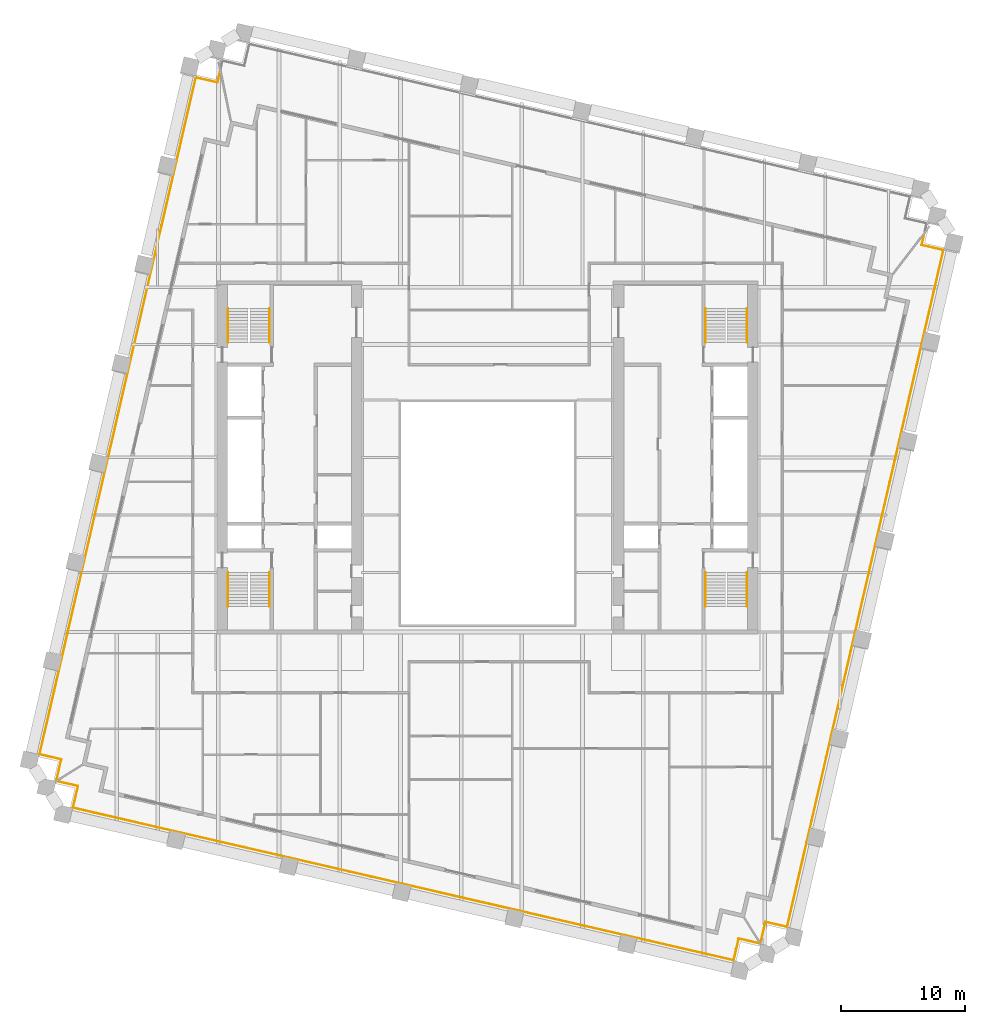
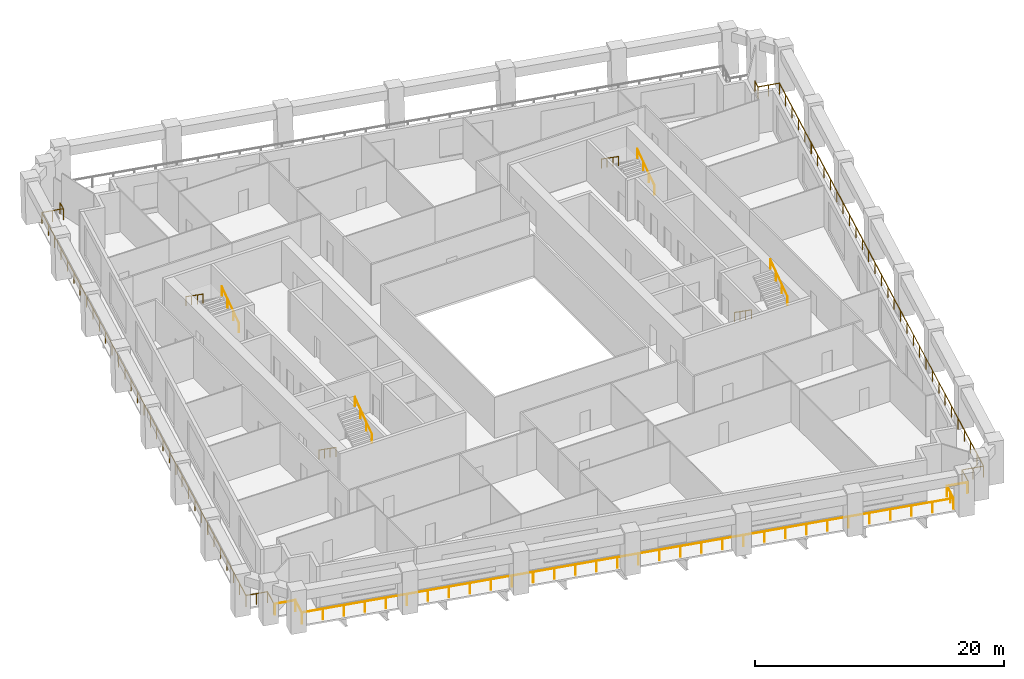
# One storey, part 11 of 12: 11 railings.
"""IFC4 building model written with IfcOpenShell, lengths in metres."""

from ifc_helpers import new_model, si_unit, direction, frame, origin, origin_2d, place, context, subcontext, project, spatial, circle, extrude, material, type_object, element, save


model = new_model("IFC4")

# Units and contexts
model_context = context("Model", 3, precision=1e-05, world=origin(), true_north=direction((0.0, 1.0)))
body_context = subcontext(model_context, "Body", "Model", "MODEL_VIEW")
ifc_project = project(units=[si_unit("LENGTHUNIT", "METRE"), si_unit("AREAUNIT", "SQUARE_METRE"), si_unit("VOLUMEUNIT", "CUBIC_METRE"), si_unit("PLANEANGLEUNIT", "RADIAN"), si_unit("MASSUNIT", "GRAM", prefix="KILO")], contexts=[model_context])

# Site, building, storey
site_placement = place(None, origin())
site = spatial("IfcSite", under=ifc_project, at=site_placement, CompositionType="ELEMENT")
building_placement = place(site_placement, origin())
building = spatial("IfcBuilding", under=site, at=building_placement, Name="Ogive Exchange Tower", CompositionType="ELEMENT")
storey_placement = place(building_placement, frame((0.0, 0.0, 130.800048828125)))
storey = spatial("IfcBuildingStorey", under=building, at=storey_placement, Name="L28", CompositionType="ELEMENT", Elevation=130.800048828125)

# Railings
ifc_material_1 = material(Name="Stainless steel 316", Category="steel")
railing_type_1 = type_object("IfcRailingType", Name="Guard 1100 stainless steel and glass", PredefinedType="GUARDRAIL", material=ifc_material_1)
railing_1_placement = place(storey_placement, frame((21.947265625, -27.74462890625, -0.050048828125)))
element("IfcRailing", 1, at=railing_1_placement, inside=storey, type_object=railing_type_1, Name="Loggia guard 1", PredefinedType="GUARDRAIL", context=body_context, shape_type="SweptSolid", body=[
    extrude(circle(Radius=0.02392578125, at=origin_2d()), frame((0.0, 0.0, 1.076171875), z_axis=(-0.974396013545, 0.224838628327, 0.0), x_axis=(-0.224838628327, -0.974396013545, 0.0)), (0.0, 0.0, 1.0), 1.7080078125),
    extrude(circle(Radius=0.02392578125, at=origin_2d()), frame((-1.664306640625, 0.384033203125, 1.076171875), z_axis=(-0.225008086135, -0.974356896201, 0.0), x_axis=(0.974356896201, -0.225008086135, 0.0)), (0.0, 0.0, 1.0), 1.800048828125),
    extrude(circle(Radius=0.02392578125, at=origin_2d()), frame((-2.0693359375, -1.369873046875, 1.076171875), z_axis=(-0.974368873975, 0.224956212247, 0.0), x_axis=(-0.224956212247, -0.974368873975, 0.0)), (0.0, 0.0, 1.0), 54.760009765625),
    extrude(circle(Radius=0.02392578125, at=origin_2d()), frame((-55.42578125, 10.94873046875, 1.076171875), z_axis=(0.22503782496, 0.974350028141, 0.0), x_axis=(-0.974350028141, 0.22503782496, 0.0)), (0.0, 0.0, 1.0), 1.7998046875),
    extrude(circle(Radius=0.02392578125, at=origin_2d()), frame((-55.020751953125, 12.702392578125, 1.076171875), z_axis=(-0.974364690374, 0.224974332206, 0.0), x_axis=(-0.224974332206, -0.974364690374, 0.0)), (0.0, 0.0, 1.0), 1.7080078125),
    extrude(circle(Radius=0.02099609375, at=origin_2d()), origin(), (0.0, 0.0, 1.0), 1.052001953125),
    extrude(circle(Radius=0.02099609375, at=origin_2d()), frame((-1.664306640625, 0.384033203125, 0.0)), (0.0, 0.0, 1.0), 1.052001953125),
    extrude(circle(Radius=0.02099609375, at=origin_2d()), frame((-1.86669921875, -0.492919921875, 0.0)), (0.0, 0.0, 1.0), 1.052001953125),
    extrude(circle(Radius=0.02099609375, at=origin_2d()), frame((-2.0693359375, -1.369873046875, 0.0)), (0.0, 0.0, 1.0), 1.052001953125),
    extrude(circle(Radius=0.02099609375, at=origin_2d()), frame((-3.79052734375, -0.972412109375, 0.0)), (0.0, 0.0, 1.0), 1.052001953125),
    extrude(circle(Radius=0.02099609375, at=origin_2d()), frame((-5.51171875, -0.5751953125, 0.0)), (0.0, 0.0, 1.0), 1.052001953125),
    extrude(circle(Radius=0.02099609375, at=origin_2d()), frame((-7.23291015625, -0.177734375, 0.0)), (0.0, 0.0, 1.0), 1.052001953125),
    extrude(circle(Radius=0.02099609375, at=origin_2d()), frame((-8.9541015625, 0.2197265625, 0.0)), (0.0, 0.0, 1.0), 1.052001953125),
    extrude(circle(Radius=0.02099609375, at=origin_2d()), frame((-10.67529296875, 0.616943359375, 0.0)), (0.0, 0.0, 1.0), 1.052001953125),
    extrude(circle(Radius=0.02099609375, at=origin_2d()), frame((-12.396484375, 1.014404296875, 0.0)), (0.0, 0.0, 1.0), 1.052001953125),
    extrude(circle(Radius=0.02099609375, at=origin_2d()), frame((-14.11767578125, 1.411865234375, 0.0)), (0.0, 0.0, 1.0), 1.052001953125),
    extrude(circle(Radius=0.02099609375, at=origin_2d()), frame((-15.838623046875, 1.80908203125, 0.0)), (0.0, 0.0, 1.0), 1.052001953125),
    extrude(circle(Radius=0.02099609375, at=origin_2d()), frame((-17.559814453125, 2.20654296875, 0.0)), (0.0, 0.0, 1.0), 1.052001953125),
    extrude(circle(Radius=0.02099609375, at=origin_2d()), frame((-19.281005859375, 2.603759765625, 0.0)), (0.0, 0.0, 1.0), 1.052001953125),
    extrude(circle(Radius=0.02099609375, at=origin_2d()), frame((-21.002197265625, 3.001220703125, 0.0)), (0.0, 0.0, 1.0), 1.052001953125),
    extrude(circle(Radius=0.02099609375, at=origin_2d()), frame((-22.723388671875, 3.398681640625, 0.0)), (0.0, 0.0, 1.0), 1.052001953125),
    extrude(circle(Radius=0.02099609375, at=origin_2d()), frame((-24.444580078125, 3.7958984375, 0.0)), (0.0, 0.0, 1.0), 1.052001953125),
    extrude(circle(Radius=0.02099609375, at=origin_2d()), frame((-26.165771484375, 4.193359375, 0.0)), (0.0, 0.0, 1.0), 1.052001953125),
    extrude(circle(Radius=0.02099609375, at=origin_2d()), frame((-27.886962890625, 4.5908203125, 0.0)), (0.0, 0.0, 1.0), 1.052001953125),
    extrude(circle(Radius=0.02099609375, at=origin_2d()), frame((-29.608154296875, 4.988037109375, 0.0)), (0.0, 0.0, 1.0), 1.052001953125),
    extrude(circle(Radius=0.02099609375, at=origin_2d()), frame((-31.329345703125, 5.385498046875, 0.0)), (0.0, 0.0, 1.0), 1.052001953125),
    extrude(circle(Radius=0.02099609375, at=origin_2d()), frame((-33.050537109375, 5.782958984375, 0.0)), (0.0, 0.0, 1.0), 1.052001953125),
    extrude(circle(Radius=0.02099609375, at=origin_2d()), frame((-34.771728515625, 6.18017578125, 0.0)), (0.0, 0.0, 1.0), 1.052001953125),
    extrude(circle(Radius=0.02099609375, at=origin_2d()), frame((-36.492919921875, 6.57763671875, 0.0)), (0.0, 0.0, 1.0), 1.052001953125),
    extrude(circle(Radius=0.02099609375, at=origin_2d()), frame((-38.214111328125, 6.97509765625, 0.0)), (0.0, 0.0, 1.0), 1.052001953125),
    extrude(circle(Radius=0.02099609375, at=origin_2d()), frame((-39.935302734375, 7.372314453125, 0.0)), (0.0, 0.0, 1.0), 1.052001953125),
    extrude(circle(Radius=0.02099609375, at=origin_2d()), frame((-41.656494140625, 7.769775390625, 0.0)), (0.0, 0.0, 1.0), 1.052001953125),
    extrude(circle(Radius=0.02099609375, at=origin_2d()), frame((-43.37744140625, 8.1669921875, 0.0)), (0.0, 0.0, 1.0), 1.052001953125),
    extrude(circle(Radius=0.02099609375, at=origin_2d()), frame((-45.0986328125, 8.564453125, 0.0)), (0.0, 0.0, 1.0), 1.052001953125),
    extrude(circle(Radius=0.02099609375, at=origin_2d()), frame((-46.81982421875, 8.9619140625, 0.0)), (0.0, 0.0, 1.0), 1.052001953125),
    extrude(circle(Radius=0.02099609375, at=origin_2d()), frame((-48.541015625, 9.359130859375, 0.0)), (0.0, 0.0, 1.0), 1.052001953125),
    extrude(circle(Radius=0.02099609375, at=origin_2d()), frame((-50.26220703125, 9.756591796875, 0.0)), (0.0, 0.0, 1.0), 1.052001953125),
    extrude(circle(Radius=0.02099609375, at=origin_2d()), frame((-51.9833984375, 10.154052734375, 0.0)), (0.0, 0.0, 1.0), 1.052001953125),
    extrude(circle(Radius=0.02099609375, at=origin_2d()), frame((-53.70458984375, 10.55126953125, 0.0)), (0.0, 0.0, 1.0), 1.052001953125),
    extrude(circle(Radius=0.02099609375, at=origin_2d()), frame((-55.42578125, 10.94873046875, 0.0)), (0.0, 0.0, 1.0), 1.052001953125),
    extrude(circle(Radius=0.02099609375, at=origin_2d()), frame((-55.020751953125, 12.702392578125, 0.0)), (0.0, 0.0, 1.0), 1.052001953125),
    extrude(circle(Radius=0.02099609375, at=origin_2d()), frame((-56.68505859375, 13.086669921875, 0.0)), (0.0, 0.0, 1.0), 1.052001953125),
])
railing_2_placement = place(storey_placement, frame((-34.806884765625, -14.547607421875, -0.050048828125)))
element("IfcRailing", 2, at=railing_2_placement, inside=storey, type_object=railing_type_1, Name="Loggia guard 2", PredefinedType="GUARDRAIL", context=body_context, shape_type="SweptSolid", body=[
    extrude(circle(Radius=0.02392578125, at=origin_2d()), frame((0.0, 0.0, 1.076171875), z_axis=(0.224974332206, 0.974364690374, 0.0), x_axis=(-0.974364690374, 0.224974332206, 0.0)), (0.0, 0.0, 1.0), 1.7080078125),
    extrude(circle(Radius=0.02392578125, at=origin_2d()), frame((0.38427734375, 1.664306640625, 1.076171875), z_axis=(-0.974386623598, 0.224879318197, 0.0), x_axis=(-0.224879318197, -0.974386623598, 0.0)), (0.0, 0.0, 1.0), 1.800048828125),
    extrude(circle(Radius=0.02392578125, at=origin_2d()), frame((-1.36962890625, 2.069091796875, 1.076171875), z_axis=(0.224950094226, 0.974370286445, 0.0), x_axis=(-0.974370286445, 0.224950094226, 0.0)), (0.0, 0.0, 1.0), 56.096435546875),
    extrude(circle(Radius=0.02392578125, at=origin_2d()), frame((11.249267578125, 56.727783203125, 1.076171875), z_axis=(0.974356896201, -0.225008086135, 0.0), x_axis=(0.225008086135, 0.974356896201, 0.0)), (0.0, 0.0, 1.0), 1.800048828125),
    extrude(circle(Radius=0.02392578125, at=origin_2d()), frame((13.003173828125, 56.32275390625, 1.076171875), z_axis=(0.225110501599, 0.974333239744, 0.0), x_axis=(-0.974333239744, 0.225110501599, 0.0)), (0.0, 0.0, 1.0), 0.8525390625),
    extrude(circle(Radius=0.02099609375, at=origin_2d()), origin(), (0.0, 0.0, 1.0), 1.052001953125),
    extrude(circle(Radius=0.02099609375, at=origin_2d()), frame((0.38427734375, 1.664306640625, 0.0)), (0.0, 0.0, 1.0), 1.052001953125),
    extrude(circle(Radius=0.02099609375, at=origin_2d()), frame((-0.49267578125, 1.86669921875, 0.0)), (0.0, 0.0, 1.0), 1.052001953125),
    extrude(circle(Radius=0.02099609375, at=origin_2d()), frame((-1.36962890625, 2.069091796875, 0.0)), (0.0, 0.0, 1.0), 1.052001953125),
    extrude(circle(Radius=0.02099609375, at=origin_2d()), frame((-0.975341796875, 3.777099609375, 0.0)), (0.0, 0.0, 1.0), 1.052001953125),
    extrude(circle(Radius=0.02099609375, at=origin_2d()), frame((-0.5810546875, 5.4853515625, 0.0)), (0.0, 0.0, 1.0), 1.052001953125),
    extrude(circle(Radius=0.02099609375, at=origin_2d()), frame((-0.1865234375, 7.193359375, 0.0)), (0.0, 0.0, 1.0), 1.052001953125),
    extrude(circle(Radius=0.02099609375, at=origin_2d()), frame((0.207763671875, 8.9013671875, 0.0)), (0.0, 0.0, 1.0), 1.052001953125),
    extrude(circle(Radius=0.02099609375, at=origin_2d()), frame((0.60205078125, 10.609619140625, 0.0)), (0.0, 0.0, 1.0), 1.052001953125),
    extrude(circle(Radius=0.02099609375, at=origin_2d()), frame((0.996337890625, 12.317626953125, 0.0)), (0.0, 0.0, 1.0), 1.052001953125),
    extrude(circle(Radius=0.02099609375, at=origin_2d()), frame((1.390869140625, 14.025634765625, 0.0)), (0.0, 0.0, 1.0), 1.052001953125),
    extrude(circle(Radius=0.02099609375, at=origin_2d()), frame((1.78515625, 15.73388671875, 0.0)), (0.0, 0.0, 1.0), 1.052001953125),
    extrude(circle(Radius=0.02099609375, at=origin_2d()), frame((2.179443359375, 17.44189453125, 0.0)), (0.0, 0.0, 1.0), 1.052001953125),
    extrude(circle(Radius=0.02099609375, at=origin_2d()), frame((2.57373046875, 19.14990234375, 0.0)), (0.0, 0.0, 1.0), 1.052001953125),
    extrude(circle(Radius=0.02099609375, at=origin_2d()), frame((2.968017578125, 20.85791015625, 0.0)), (0.0, 0.0, 1.0), 1.052001953125),
    extrude(circle(Radius=0.02099609375, at=origin_2d()), frame((3.362548828125, 22.566162109375, 0.0)), (0.0, 0.0, 1.0), 1.052001953125),
    extrude(circle(Radius=0.02099609375, at=origin_2d()), frame((3.7568359375, 24.274169921875, 0.0)), (0.0, 0.0, 1.0), 1.052001953125),
    extrude(circle(Radius=0.02099609375, at=origin_2d()), frame((4.151123046875, 25.982177734375, 0.0)), (0.0, 0.0, 1.0), 1.052001953125),
    extrude(circle(Radius=0.02099609375, at=origin_2d()), frame((4.54541015625, 27.6904296875, 0.0)), (0.0, 0.0, 1.0), 1.052001953125),
    extrude(circle(Radius=0.02099609375, at=origin_2d()), frame((4.93994140625, 29.3984375, 0.0)), (0.0, 0.0, 1.0), 1.052001953125),
    extrude(circle(Radius=0.02099609375, at=origin_2d()), frame((5.334228515625, 31.1064453125, 0.0)), (0.0, 0.0, 1.0), 1.052001953125),
    extrude(circle(Radius=0.02099609375, at=origin_2d()), frame((5.728515625, 32.814697265625, 0.0)), (0.0, 0.0, 1.0), 1.052001953125),
    extrude(circle(Radius=0.02099609375, at=origin_2d()), frame((6.122802734375, 34.522705078125, 0.0)), (0.0, 0.0, 1.0), 1.052001953125),
    extrude(circle(Radius=0.02099609375, at=origin_2d()), frame((6.51708984375, 36.230712890625, 0.0)), (0.0, 0.0, 1.0), 1.052001953125),
    extrude(circle(Radius=0.02099609375, at=origin_2d()), frame((6.91162109375, 37.93896484375, 0.0)), (0.0, 0.0, 1.0), 1.052001953125),
    extrude(circle(Radius=0.02099609375, at=origin_2d()), frame((7.305908203125, 39.64697265625, 0.0)), (0.0, 0.0, 1.0), 1.052001953125),
    extrude(circle(Radius=0.02099609375, at=origin_2d()), frame((7.7001953125, 41.35498046875, 0.0)), (0.0, 0.0, 1.0), 1.052001953125),
    extrude(circle(Radius=0.02099609375, at=origin_2d()), frame((8.094482421875, 43.06298828125, 0.0)), (0.0, 0.0, 1.0), 1.052001953125),
    extrude(circle(Radius=0.02099609375, at=origin_2d()), frame((8.48876953125, 44.771240234375, 0.0)), (0.0, 0.0, 1.0), 1.052001953125),
    extrude(circle(Radius=0.02099609375, at=origin_2d()), frame((8.88330078125, 46.479248046875, 0.0)), (0.0, 0.0, 1.0), 1.052001953125),
    extrude(circle(Radius=0.02099609375, at=origin_2d()), frame((9.277587890625, 48.187255859375, 0.0)), (0.0, 0.0, 1.0), 1.052001953125),
    extrude(circle(Radius=0.02099609375, at=origin_2d()), frame((9.671875, 49.8955078125, 0.0)), (0.0, 0.0, 1.0), 1.052001953125),
    extrude(circle(Radius=0.02099609375, at=origin_2d()), frame((10.066162109375, 51.603515625, 0.0)), (0.0, 0.0, 1.0), 1.052001953125),
    extrude(circle(Radius=0.02099609375, at=origin_2d()), frame((10.460693359375, 53.3115234375, 0.0)), (0.0, 0.0, 1.0), 1.052001953125),
    extrude(circle(Radius=0.02099609375, at=origin_2d()), frame((10.85498046875, 55.019775390625, 0.0)), (0.0, 0.0, 1.0), 1.052001953125),
    extrude(circle(Radius=0.02099609375, at=origin_2d()), frame((11.249267578125, 56.727783203125, 0.0)), (0.0, 0.0, 1.0), 1.052001953125),
    extrude(circle(Radius=0.02099609375, at=origin_2d()), frame((12.126220703125, 56.525390625, 0.0)), (0.0, 0.0, 1.0), 1.052001953125),
    extrude(circle(Radius=0.02099609375, at=origin_2d()), frame((13.003173828125, 56.32275390625, 0.0)), (0.0, 0.0, 1.0), 1.052001953125),
    extrude(circle(Radius=0.02099609375, at=origin_2d()), frame((13.195068359375, 57.1533203125, 0.0)), (0.0, 0.0, 1.0), 1.052001953125),
])
railing_3_placement = place(storey_placement, frame((35.252197265625, 29.477294921875, -0.050048828125)))
element("IfcRailing", 3, at=railing_3_placement, inside=storey, type_object=railing_type_1, Name="Loggia guard 4", PredefinedType="GUARDRAIL", context=body_context, shape_type="SweptSolid", body=[
    extrude(circle(Radius=0.02392578125, at=origin_2d()), frame((0.0, 0.0, 1.076171875), z_axis=(-0.224964154869, -0.974367040198, 0.0), x_axis=(0.974367040198, -0.224964154869, 0.0)), (0.0, 0.0, 1.0), 0.851806640625),
    extrude(circle(Radius=0.02392578125, at=origin_2d()), frame((-0.191650390625, -0.830078125, 1.076171875), z_axis=(0.974356896201, -0.225008086135, 0.0), x_axis=(0.225008086135, 0.974356896201, 0.0)), (0.0, 0.0, 1.0), 1.800048828125),
    extrude(circle(Radius=0.02392578125, at=origin_2d()), frame((1.562255859375, -1.235107421875, 1.076171875), z_axis=(-0.224950094226, -0.974370286445, 0.0), x_axis=(0.974370286445, -0.224950094226, 0.0)), (0.0, 0.0, 1.0), 56.096435546875),
    extrude(circle(Radius=0.02392578125, at=origin_2d()), frame((-11.056640625, -55.893798828125, 1.076171875), z_axis=(-0.974356896201, 0.225008086135, 0.0), x_axis=(-0.225008086135, -0.974356896201, 0.0)), (0.0, 0.0, 1.0), 1.800048828125),
    extrude(circle(Radius=0.02392578125, at=origin_2d()), frame((-12.810546875, -55.48876953125, 1.076171875), z_axis=(-0.224974332206, -0.974364690374, 0.0), x_axis=(0.974364690374, -0.224974332206, 0.0)), (0.0, 0.0, 1.0), 1.7080078125),
    extrude(circle(Radius=0.02099609375, at=origin_2d()), origin(), (0.0, 0.0, 1.0), 1.052001953125),
    extrude(circle(Radius=0.02099609375, at=origin_2d()), frame((-0.191650390625, -0.830078125, 0.0)), (0.0, 0.0, 1.0), 1.052001953125),
    extrude(circle(Radius=0.02099609375, at=origin_2d()), frame((0.685302734375, -1.03271484375, 0.0)), (0.0, 0.0, 1.0), 1.052001953125),
    extrude(circle(Radius=0.02099609375, at=origin_2d()), frame((1.562255859375, -1.235107421875, 0.0)), (0.0, 0.0, 1.0), 1.052001953125),
    extrude(circle(Radius=0.02099609375, at=origin_2d()), frame((1.16796875, -2.943115234375, 0.0)), (0.0, 0.0, 1.0), 1.052001953125),
    extrude(circle(Radius=0.02099609375, at=origin_2d()), frame((0.773681640625, -4.6513671875, 0.0)), (0.0, 0.0, 1.0), 1.052001953125),
    extrude(circle(Radius=0.02099609375, at=origin_2d()), frame((0.379150390625, -6.359375, 0.0)), (0.0, 0.0, 1.0), 1.052001953125),
    extrude(circle(Radius=0.02099609375, at=origin_2d()), frame((-0.01513671875, -8.0673828125, 0.0)), (0.0, 0.0, 1.0), 1.052001953125),
    extrude(circle(Radius=0.02099609375, at=origin_2d()), frame((-0.409423828125, -9.775634765625, 0.0)), (0.0, 0.0, 1.0), 1.052001953125),
    extrude(circle(Radius=0.02099609375, at=origin_2d()), frame((-0.8037109375, -11.483642578125, 0.0)), (0.0, 0.0, 1.0), 1.052001953125),
    extrude(circle(Radius=0.02099609375, at=origin_2d()), frame((-1.1982421875, -13.191650390625, 0.0)), (0.0, 0.0, 1.0), 1.052001953125),
    extrude(circle(Radius=0.02099609375, at=origin_2d()), frame((-1.592529296875, -14.89990234375, 0.0)), (0.0, 0.0, 1.0), 1.052001953125),
    extrude(circle(Radius=0.02099609375, at=origin_2d()), frame((-1.98681640625, -16.60791015625, 0.0)), (0.0, 0.0, 1.0), 1.052001953125),
    extrude(circle(Radius=0.02099609375, at=origin_2d()), frame((-2.381103515625, -18.31591796875, 0.0)), (0.0, 0.0, 1.0), 1.052001953125),
    extrude(circle(Radius=0.02099609375, at=origin_2d()), frame((-2.775390625, -20.02392578125, 0.0)), (0.0, 0.0, 1.0), 1.052001953125),
    extrude(circle(Radius=0.02099609375, at=origin_2d()), frame((-3.169921875, -21.732177734375, 0.0)), (0.0, 0.0, 1.0), 1.052001953125),
    extrude(circle(Radius=0.02099609375, at=origin_2d()), frame((-3.564208984375, -23.440185546875, 0.0)), (0.0, 0.0, 1.0), 1.052001953125),
    extrude(circle(Radius=0.02099609375, at=origin_2d()), frame((-3.95849609375, -25.148193359375, 0.0)), (0.0, 0.0, 1.0), 1.052001953125),
    extrude(circle(Radius=0.02099609375, at=origin_2d()), frame((-4.352783203125, -26.8564453125, 0.0)), (0.0, 0.0, 1.0), 1.052001953125),
    extrude(circle(Radius=0.02099609375, at=origin_2d()), frame((-4.7470703125, -28.564453125, 0.0)), (0.0, 0.0, 1.0), 1.052001953125),
    extrude(circle(Radius=0.02099609375, at=origin_2d()), frame((-5.1416015625, -30.2724609375, 0.0)), (0.0, 0.0, 1.0), 1.052001953125),
    extrude(circle(Radius=0.02099609375, at=origin_2d()), frame((-5.535888671875, -31.980712890625, 0.0)), (0.0, 0.0, 1.0), 1.052001953125),
    extrude(circle(Radius=0.02099609375, at=origin_2d()), frame((-5.93017578125, -33.688720703125, 0.0)), (0.0, 0.0, 1.0), 1.052001953125),
    extrude(circle(Radius=0.02099609375, at=origin_2d()), frame((-6.324462890625, -35.396728515625, 0.0)), (0.0, 0.0, 1.0), 1.052001953125),
    extrude(circle(Radius=0.02099609375, at=origin_2d()), frame((-6.718994140625, -37.10498046875, 0.0)), (0.0, 0.0, 1.0), 1.052001953125),
    extrude(circle(Radius=0.02099609375, at=origin_2d()), frame((-7.11328125, -38.81298828125, 0.0)), (0.0, 0.0, 1.0), 1.052001953125),
    extrude(circle(Radius=0.02099609375, at=origin_2d()), frame((-7.507568359375, -40.52099609375, 0.0)), (0.0, 0.0, 1.0), 1.052001953125),
    extrude(circle(Radius=0.02099609375, at=origin_2d()), frame((-7.90185546875, -42.22900390625, 0.0)), (0.0, 0.0, 1.0), 1.052001953125),
    extrude(circle(Radius=0.02099609375, at=origin_2d()), frame((-8.296142578125, -43.937255859375, 0.0)), (0.0, 0.0, 1.0), 1.052001953125),
    extrude(circle(Radius=0.02099609375, at=origin_2d()), frame((-8.690673828125, -45.645263671875, 0.0)), (0.0, 0.0, 1.0), 1.052001953125),
    extrude(circle(Radius=0.02099609375, at=origin_2d()), frame((-9.0849609375, -47.353271484375, 0.0)), (0.0, 0.0, 1.0), 1.052001953125),
    extrude(circle(Radius=0.02099609375, at=origin_2d()), frame((-9.479248046875, -49.0615234375, 0.0)), (0.0, 0.0, 1.0), 1.052001953125),
    extrude(circle(Radius=0.02099609375, at=origin_2d()), frame((-9.87353515625, -50.76953125, 0.0)), (0.0, 0.0, 1.0), 1.052001953125),
    extrude(circle(Radius=0.02099609375, at=origin_2d()), frame((-10.26806640625, -52.4775390625, 0.0)), (0.0, 0.0, 1.0), 1.052001953125),
    extrude(circle(Radius=0.02099609375, at=origin_2d()), frame((-10.662353515625, -54.185791015625, 0.0)), (0.0, 0.0, 1.0), 1.052001953125),
    extrude(circle(Radius=0.02099609375, at=origin_2d()), frame((-11.056640625, -55.893798828125, 0.0)), (0.0, 0.0, 1.0), 1.052001953125),
    extrude(circle(Radius=0.02099609375, at=origin_2d()), frame((-11.93359375, -55.69140625, 0.0)), (0.0, 0.0, 1.0), 1.052001953125),
    extrude(circle(Radius=0.02099609375, at=origin_2d()), frame((-12.810546875, -55.48876953125, 0.0)), (0.0, 0.0, 1.0), 1.052001953125),
    extrude(circle(Radius=0.02099609375, at=origin_2d()), frame((-13.19482421875, -57.153076171875, 0.0)), (0.0, 0.0, 1.0), 1.052001953125),
])
ifc_material_2 = material(Name="Stainless steel", Category="steel")
railing_type_2 = type_object("IfcRailingType", Name="Stair handrail 900", PredefinedType="HANDRAIL", material=ifc_material_2)
railing_4_placement = place(storey_placement, frame((-20.949951171875, 2.199951171875, 0.175048828125)))
element("IfcRailing", 4, at=railing_4_placement, inside=storey, type_object=railing_type_2, Name="L28 ST1 stair handrail 1", PredefinedType="HANDRAIL", context=body_context, shape_type="SweptSolid", body=[
    extrude(circle(Radius=0.02392578125, at=origin_2d()), frame((0.0, 0.0, 0.8759765625), z_axis=(0.0, -0.819259255306, 0.573423292687), x_axis=(1.0, 0.0, 0.0)), (0.0, 0.0, 1.0), 3.356689453125),
    extrude(circle(Radius=0.02099609375, at=origin_2d()), origin(), (0.0, 0.0, 1.0), 0.851806640625),
    extrude(circle(Radius=0.02099609375, at=origin_2d()), frame((0.0, -0.916748046875, 0.6416015625)), (0.0, 0.0, 1.0), 0.851806640625),
    extrude(circle(Radius=0.02099609375, at=origin_2d()), frame((0.0, -1.833251953125, 1.283203125)), (0.0, 0.0, 1.0), 0.851806640625),
    extrude(circle(Radius=0.02099609375, at=origin_2d()), frame((0.0, -2.75, 1.9248046875)), (0.0, 0.0, 1.0), 0.851806640625),
])
railing_5_placement = place(storey_placement, frame((-17.60009765625, -0.550048828125, 2.27490234375)))
element("IfcRailing", 5, at=railing_5_placement, inside=storey, type_object=railing_type_2, Name="L28 ST1 stair handrail 2", PredefinedType="HANDRAIL", context=body_context, shape_type="SweptSolid", body=[
    extrude(circle(Radius=0.02392578125, at=origin_2d()), frame((0.0, 0.0, 0.8759765625), z_axis=(0.0, 0.819225086817, 0.573472106672), x_axis=(-1.0, 0.0, 0.0)), (0.0, 0.0, 1.0), 3.35693359375),
    extrude(circle(Radius=0.02099609375, at=origin_2d()), origin(), (0.0, 0.0, 1.0), 0.851806640625),
    extrude(circle(Radius=0.02099609375, at=origin_2d()), frame((0.0, 0.916748046875, 0.6416015625)), (0.0, 0.0, 1.0), 0.851806640625),
    extrude(circle(Radius=0.02099609375, at=origin_2d()), frame((0.0, 1.833251953125, 1.283447265625)), (0.0, 0.0, 1.0), 0.851806640625),
    extrude(circle(Radius=0.02099609375, at=origin_2d()), frame((0.0, 2.75, 1.925048828125)), (0.0, 0.0, 1.0), 0.851806640625),
])
railing_6_placement = place(storey_placement, frame((-17.60009765625, 20.800048828125, 0.175048828125)))
element("IfcRailing", 6, at=railing_6_placement, inside=storey, type_object=railing_type_2, Name="L28 ST2 stair handrail 1", PredefinedType="HANDRAIL", context=body_context, shape_type="SweptSolid", body=[
    extrude(circle(Radius=0.02392578125, at=origin_2d()), frame((0.0, 0.0, 0.8759765625), z_axis=(0.0, 0.819259255306, 0.573423292687), x_axis=(-1.0, 0.0, 0.0)), (0.0, 0.0, 1.0), 3.356689453125),
    extrude(circle(Radius=0.02099609375, at=origin_2d()), origin(), (0.0, 0.0, 1.0), 0.851806640625),
    extrude(circle(Radius=0.02099609375, at=origin_2d()), frame((0.0, 0.916748046875, 0.6416015625)), (0.0, 0.0, 1.0), 0.851806640625),
    extrude(circle(Radius=0.02099609375, at=origin_2d()), frame((0.0, 1.833251953125, 1.283203125)), (0.0, 0.0, 1.0), 0.851806640625),
    extrude(circle(Radius=0.02099609375, at=origin_2d()), frame((0.0, 2.75, 1.9248046875)), (0.0, 0.0, 1.0), 0.851806640625),
])
railing_7_placement = place(storey_placement, frame((-20.949951171875, 23.550048828125, 2.27490234375)))
element("IfcRailing", 7, at=railing_7_placement, inside=storey, type_object=railing_type_2, Name="L28 ST2 stair handrail 2", PredefinedType="HANDRAIL", context=body_context, shape_type="SweptSolid", body=[
    extrude(circle(Radius=0.02392578125, at=origin_2d()), frame((0.0, 0.0, 0.8759765625), z_axis=(0.0, -0.819225086817, 0.573472106672), x_axis=(1.0, 0.0, 0.0)), (0.0, 0.0, 1.0), 3.35693359375),
    extrude(circle(Radius=0.02099609375, at=origin_2d()), origin(), (0.0, 0.0, 1.0), 0.851806640625),
    extrude(circle(Radius=0.02099609375, at=origin_2d()), frame((0.0, -0.916748046875, 0.6416015625)), (0.0, 0.0, 1.0), 0.851806640625),
    extrude(circle(Radius=0.02099609375, at=origin_2d()), frame((0.0, -1.833251953125, 1.283447265625)), (0.0, 0.0, 1.0), 0.851806640625),
    extrude(circle(Radius=0.02099609375, at=origin_2d()), frame((0.0, -2.75, 1.925048828125)), (0.0, 0.0, 1.0), 0.851806640625),
])
railing_8_placement = place(storey_placement, frame((17.60009765625, 2.199951171875, 0.175048828125)))
element("IfcRailing", 8, at=railing_8_placement, inside=storey, type_object=railing_type_2, Name="L28 ST3 stair handrail 1", PredefinedType="HANDRAIL", context=body_context, shape_type="SweptSolid", body=[
    extrude(circle(Radius=0.02392578125, at=origin_2d()), frame((0.0, 0.0, 0.8759765625), z_axis=(0.0, -0.819259255306, 0.573423292687), x_axis=(1.0, 0.0, 0.0)), (0.0, 0.0, 1.0), 3.356689453125),
    extrude(circle(Radius=0.02099609375, at=origin_2d()), origin(), (0.0, 0.0, 1.0), 0.851806640625),
    extrude(circle(Radius=0.02099609375, at=origin_2d()), frame((0.0, -0.916748046875, 0.6416015625)), (0.0, 0.0, 1.0), 0.851806640625),
    extrude(circle(Radius=0.02099609375, at=origin_2d()), frame((0.0, -1.833251953125, 1.283203125)), (0.0, 0.0, 1.0), 0.851806640625),
    extrude(circle(Radius=0.02099609375, at=origin_2d()), frame((0.0, -2.75, 1.9248046875)), (0.0, 0.0, 1.0), 0.851806640625),
])
railing_9_placement = place(storey_placement, frame((20.949951171875, -0.550048828125, 2.27490234375)))
element("IfcRailing", 9, at=railing_9_placement, inside=storey, type_object=railing_type_2, Name="L28 ST3 stair handrail 2", PredefinedType="HANDRAIL", context=body_context, shape_type="SweptSolid", body=[
    extrude(circle(Radius=0.02392578125, at=origin_2d()), frame((0.0, 0.0, 0.8759765625), z_axis=(0.0, 0.819225086817, 0.573472106672), x_axis=(-1.0, 0.0, 0.0)), (0.0, 0.0, 1.0), 3.35693359375),
    extrude(circle(Radius=0.02099609375, at=origin_2d()), origin(), (0.0, 0.0, 1.0), 0.851806640625),
    extrude(circle(Radius=0.02099609375, at=origin_2d()), frame((0.0, 0.916748046875, 0.6416015625)), (0.0, 0.0, 1.0), 0.851806640625),
    extrude(circle(Radius=0.02099609375, at=origin_2d()), frame((0.0, 1.833251953125, 1.283447265625)), (0.0, 0.0, 1.0), 0.851806640625),
    extrude(circle(Radius=0.02099609375, at=origin_2d()), frame((0.0, 2.75, 1.925048828125)), (0.0, 0.0, 1.0), 0.851806640625),
])
railing_10_placement = place(storey_placement, frame((20.949951171875, 20.800048828125, 0.175048828125)))
element("IfcRailing", 10, at=railing_10_placement, inside=storey, type_object=railing_type_2, Name="L28 ST4 stair handrail 1", PredefinedType="HANDRAIL", context=body_context, shape_type="SweptSolid", body=[
    extrude(circle(Radius=0.02392578125, at=origin_2d()), frame((0.0, 0.0, 0.8759765625), z_axis=(0.0, 0.819259255306, 0.573423292687), x_axis=(-1.0, 0.0, 0.0)), (0.0, 0.0, 1.0), 3.356689453125),
    extrude(circle(Radius=0.02099609375, at=origin_2d()), origin(), (0.0, 0.0, 1.0), 0.851806640625),
    extrude(circle(Radius=0.02099609375, at=origin_2d()), frame((0.0, 0.916748046875, 0.6416015625)), (0.0, 0.0, 1.0), 0.851806640625),
    extrude(circle(Radius=0.02099609375, at=origin_2d()), frame((0.0, 1.833251953125, 1.283203125)), (0.0, 0.0, 1.0), 0.851806640625),
    extrude(circle(Radius=0.02099609375, at=origin_2d()), frame((0.0, 2.75, 1.9248046875)), (0.0, 0.0, 1.0), 0.851806640625),
])
railing_11_placement = place(storey_placement, frame((17.60009765625, 23.550048828125, 2.27490234375)))
element("IfcRailing", 11, at=railing_11_placement, inside=storey, type_object=railing_type_2, Name="L28 ST4 stair handrail 2", PredefinedType="HANDRAIL", context=body_context, shape_type="SweptSolid", body=[
    extrude(circle(Radius=0.02392578125, at=origin_2d()), frame((0.0, 0.0, 0.8759765625), z_axis=(0.0, -0.819225086817, 0.573472106672), x_axis=(1.0, 0.0, 0.0)), (0.0, 0.0, 1.0), 3.35693359375),
    extrude(circle(Radius=0.02099609375, at=origin_2d()), origin(), (0.0, 0.0, 1.0), 0.851806640625),
    extrude(circle(Radius=0.02099609375, at=origin_2d()), frame((0.0, -0.916748046875, 0.6416015625)), (0.0, 0.0, 1.0), 0.851806640625),
    extrude(circle(Radius=0.02099609375, at=origin_2d()), frame((0.0, -1.833251953125, 1.283447265625)), (0.0, 0.0, 1.0), 0.851806640625),
    extrude(circle(Radius=0.02099609375, at=origin_2d()), frame((0.0, -2.75, 1.925048828125)), (0.0, 0.0, 1.0), 0.851806640625),
])

save(model, "model.ifc")
